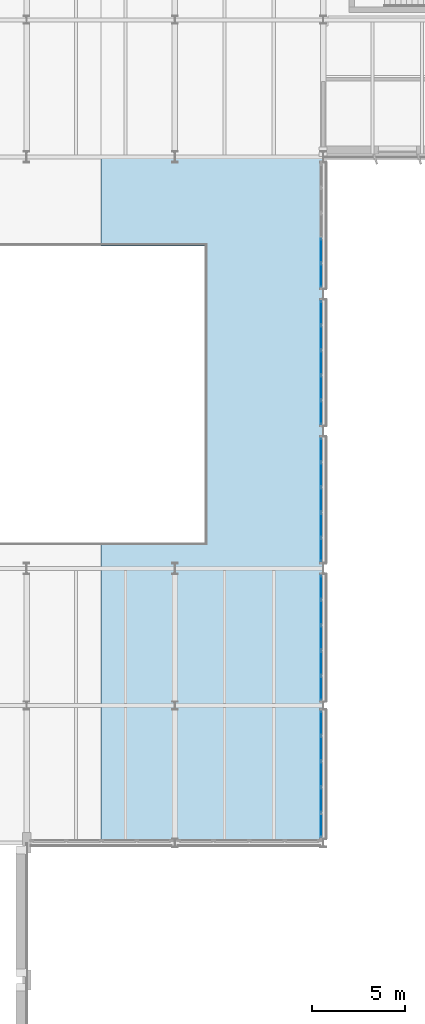
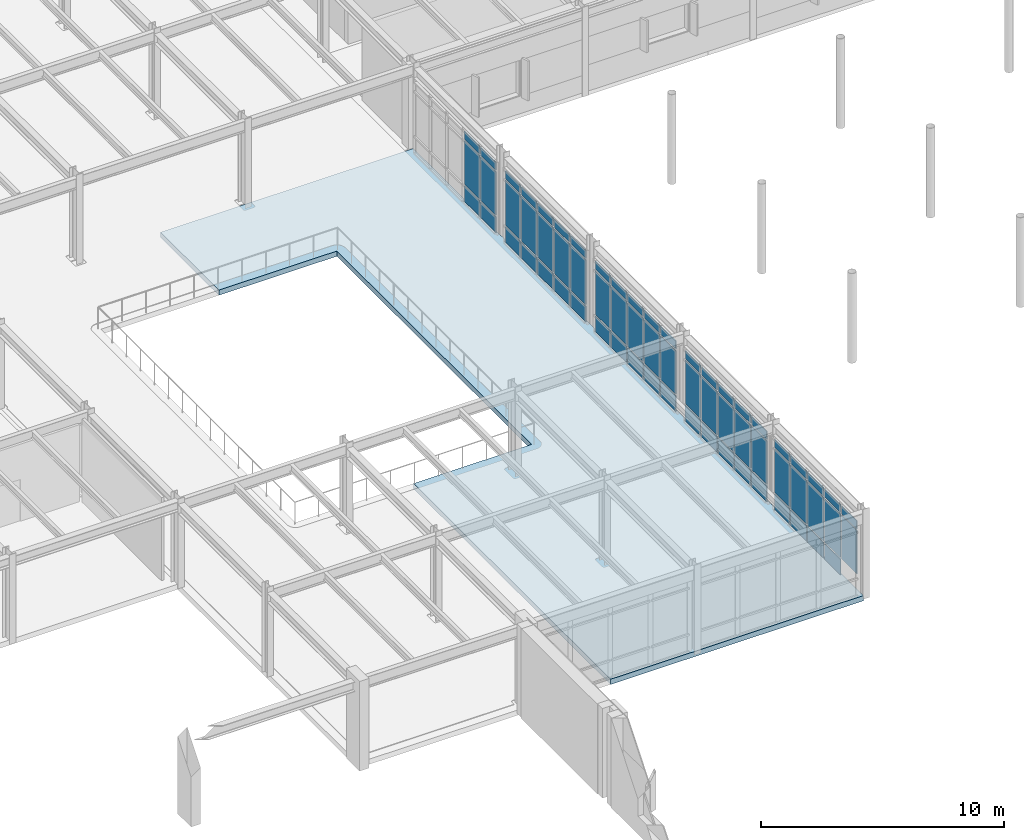
# One storey, part 30 of 75: 65 plates, 1 slab, 5 elements without a shape of their own.
"""IFC4 building model written with IfcOpenShell, lengths in metres."""

from ifc_helpers import new_model, si_unit, direction, frame, origin, origin_2d, place, context, subcontext, project, spatial, polyline, rectangle, outline, extrude, material, layer, layer_set, type_object, element, aggregate, save


model = new_model("IFC4")

# Units and contexts
model_context = context("Model", 3, precision=1e-05, world=origin(), true_north=direction((0.0, 1.0)))
body_context = subcontext(model_context, "Body", "Model", "MODEL_VIEW")
ifc_project = project(units=[si_unit("LENGTHUNIT", "METRE"), si_unit("AREAUNIT", "SQUARE_METRE"), si_unit("VOLUMEUNIT", "CUBIC_METRE"), si_unit("PLANEANGLEUNIT", "RADIAN"), si_unit("MASSUNIT", "GRAM", prefix="KILO")], contexts=[model_context])

# Site, building, storey
site_placement = place(None, origin())
site = spatial("IfcSite", under=ifc_project, at=site_placement, CompositionType="ELEMENT")
building_placement = place(site_placement, origin())
building = spatial("IfcBuilding", under=site, at=building_placement, Name="Valkorina Park Police Headquarters", CompositionType="ELEMENT")
storey_placement = place(building_placement, frame((0.0, 0.0, 5.39990234375)))
storey = spatial("IfcBuildingStorey", under=building, at=storey_placement, Name="L02", CompositionType="ELEMENT", Elevation=5.39990234375)

# Curtain wall, plates
ifc_material_1 = material(Name="Thermally broken aluminium AW-6060", Category="aluminium")
ifc_layer_1 = layer(ifc_material_1, 0.18994140625)
ifc_layer_set_1 = layer_set([ifc_layer_1], Name="Thermally broken aluminium AW-6060")
curtain_wall_type_1 = type_object("IfcCurtainWallType", Name="CW-V4-6780x3680", PredefinedType="NOTDEFINED", material=ifc_layer_set_1)
curtain_wall_1_placement = place(storey_placement, origin())
curtain_wall_1 = element("IfcCurtainWall", 1, at=curtain_wall_1_placement, inside=storey, type_object=curtain_wall_type_1, Name="L02 Unitised Curtain Wall 009", PredefinedType="NOTDEFINED")
ifc_material_2 = material(Name="Triple low-E insulated glazing", Category="glass")
ifc_layer_2 = layer(ifc_material_2, 0.0380859375)
ifc_layer_set_2 = layer_set([ifc_layer_2], Name="Triple low-E insulated glazing")
plate_type_1 = type_object("IfcPlateType", Name="PL-CWP-ACOUST-38", PredefinedType="CURTAIN_PANEL", material=ifc_layer_set_2)
plate_1_placement = place(storey_placement, frame((80.679931640625, 54.14404296875, 0.93994140625), z_axis=(0.0, 0.0, 1.0), x_axis=(0.0, -1.0, 0.0)))
plate_1 = element("IfcPlate", 2, at=plate_1_placement, type_object=plate_type_1, Name="CW-V4-678-368 panel 4.2", PredefinedType="CURTAIN_PANEL", context=body_context, shape_type="SweptSolid", body=[
    extrude(rectangle(XDim=1.27587890625, YDim=0.0380859375, at=origin_2d()), origin(), (0.0, 0.0, 1.0), 2.179931640625),
])
plate_2_placement = place(storey_placement, frame((80.679931640625, 54.14404296875, 3.2001953125), z_axis=(0.0, 0.0, 1.0), x_axis=(0.0, -1.0, 0.0)))
plate_2 = element("IfcPlate", 3, at=plate_2_placement, type_object=plate_type_1, Name="CW-V4-678-368 panel 4.3", PredefinedType="CURTAIN_PANEL", context=body_context, shape_type="SweptSolid", body=[
    extrude(rectangle(XDim=1.27587890625, YDim=0.0380859375, at=origin_2d()), origin(), (0.0, 0.0, 1.0), 0.39990234375),
])
plate_3_placement = place(storey_placement, frame((80.679931640625, 52.80810546875, 0.93994140625), z_axis=(0.0, 0.0, 1.0), x_axis=(0.0, -1.0, 0.0)))
plate_3 = element("IfcPlate", 4, at=plate_3_placement, type_object=plate_type_1, Name="CW-V4-678-368 panel 5.2", PredefinedType="CURTAIN_PANEL", context=body_context, shape_type="SweptSolid", body=[
    extrude(rectangle(XDim=1.236083984375, YDim=0.0380859375, at=origin_2d()), origin(), (0.0, 0.0, 1.0), 2.179931640625),
])
plate_4_placement = place(storey_placement, frame((80.679931640625, 52.80810546875, 3.2001953125), z_axis=(0.0, 0.0, 1.0), x_axis=(0.0, -1.0, 0.0)))
plate_4 = element("IfcPlate", 5, at=plate_4_placement, type_object=plate_type_1, Name="CW-V4-678-368 panel 5.3", PredefinedType="CURTAIN_PANEL", context=body_context, shape_type="SweptSolid", body=[
    extrude(rectangle(XDim=1.236083984375, YDim=0.0380859375, at=origin_2d()), origin(), (0.0, 0.0, 1.0), 0.39990234375),
])

ifc_layer_3 = layer(ifc_material_1, 0.18994140625)
ifc_layer_set_3 = layer_set([ifc_layer_3], Name="Thermally broken aluminium AW-6060")
curtain_wall_type_2 = type_object("IfcCurtainWallType", Name="CW-V4-6780x3740", PredefinedType="NOTDEFINED", material=ifc_layer_set_3)
curtain_wall_2_placement = place(storey_placement, origin())
curtain_wall_2 = element("IfcCurtainWall", 6, at=curtain_wall_2_placement, inside=storey, type_object=curtain_wall_type_2, Name="L02 Unitised Curtain Wall 010", PredefinedType="NOTDEFINED")
plate_5_placement = place(storey_placement, frame((80.679931640625, 50.7919921875, 0.93994140625), z_axis=(0.0, 0.0, 1.0), x_axis=(0.0, -1.0, 0.0)))
plate_5 = element("IfcPlate", 7, at=plate_5_placement, type_object=plate_type_1, Name="CW-V4-678-374 panel 1.2", PredefinedType="CURTAIN_PANEL", context=body_context, shape_type="SweptSolid", body=[
    extrude(rectangle(XDim=1.236083984375, YDim=0.0380859375, at=origin_2d()), origin(), (0.0, 0.0, 1.0), 2.239990234375),
])
plate_6_placement = place(storey_placement, frame((80.679931640625, 50.7919921875, 3.26025390625), z_axis=(0.0, 0.0, 1.0), x_axis=(0.0, -1.0, 0.0)))
plate_6 = element("IfcPlate", 8, at=plate_6_placement, type_object=plate_type_1, Name="CW-V4-678-374 panel 1.3", PredefinedType="CURTAIN_PANEL", context=body_context, shape_type="SweptSolid", body=[
    extrude(rectangle(XDim=1.236083984375, YDim=0.0380859375, at=origin_2d()), origin(), (0.0, 0.0, 1.0), 0.39990234375),
])
plate_7_placement = place(storey_placement, frame((80.679931640625, 49.4560546875, 0.93994140625), z_axis=(0.0, 0.0, 1.0), x_axis=(0.0, -1.0, 0.0)))
plate_7 = element("IfcPlate", 9, at=plate_7_placement, type_object=plate_type_1, Name="CW-V4-678-374 panel 2.2", PredefinedType="CURTAIN_PANEL", context=body_context, shape_type="SweptSolid", body=[
    extrude(rectangle(XDim=1.27587890625, YDim=0.0380859375, at=origin_2d()), origin(), (0.0, 0.0, 1.0), 2.239990234375),
])
plate_8_placement = place(storey_placement, frame((80.679931640625, 49.4560546875, 3.26025390625), z_axis=(0.0, 0.0, 1.0), x_axis=(0.0, -1.0, 0.0)))
plate_8 = element("IfcPlate", 10, at=plate_8_placement, type_object=plate_type_1, Name="CW-V4-678-374 panel 2.3", PredefinedType="CURTAIN_PANEL", context=body_context, shape_type="SweptSolid", body=[
    extrude(rectangle(XDim=1.27587890625, YDim=0.0380859375, at=origin_2d()), origin(), (0.0, 0.0, 1.0), 0.39990234375),
])
plate_9_placement = place(storey_placement, frame((80.679931640625, 48.10009765625, 0.93994140625), z_axis=(0.0, 0.0, 1.0), x_axis=(0.0, -1.0, 0.0)))
plate_9 = element("IfcPlate", 11, at=plate_9_placement, type_object=plate_type_1, Name="CW-V4-678-374 panel 3.2", PredefinedType="CURTAIN_PANEL", context=body_context, shape_type="SweptSolid", body=[
    extrude(rectangle(XDim=1.27587890625, YDim=0.0380859375, at=origin_2d()), origin(), (0.0, 0.0, 1.0), 2.239990234375),
])
plate_10_placement = place(storey_placement, frame((80.679931640625, 48.10009765625, 3.26025390625), z_axis=(0.0, 0.0, 1.0), x_axis=(0.0, -1.0, 0.0)))
plate_10 = element("IfcPlate", 12, at=plate_10_placement, type_object=plate_type_1, Name="CW-V4-678-374 panel 3.3", PredefinedType="CURTAIN_PANEL", context=body_context, shape_type="SweptSolid", body=[
    extrude(rectangle(XDim=1.27587890625, YDim=0.0380859375, at=origin_2d()), origin(), (0.0, 0.0, 1.0), 0.39990234375),
])
plate_11_placement = place(storey_placement, frame((80.679931640625, 46.743896484375, 0.93994140625), z_axis=(0.0, 0.0, 1.0), x_axis=(0.0, -1.0, 0.0)))
plate_11 = element("IfcPlate", 13, at=plate_11_placement, type_object=plate_type_1, Name="CW-V4-678-374 panel 4.2", PredefinedType="CURTAIN_PANEL", context=body_context, shape_type="SweptSolid", body=[
    extrude(rectangle(XDim=1.27587890625, YDim=0.0380859375, at=origin_2d()), origin(), (0.0, 0.0, 1.0), 2.239990234375),
])
plate_12_placement = place(storey_placement, frame((80.679931640625, 46.743896484375, 3.26025390625), z_axis=(0.0, 0.0, 1.0), x_axis=(0.0, -1.0, 0.0)))
plate_12 = element("IfcPlate", 14, at=plate_12_placement, type_object=plate_type_1, Name="CW-V4-678-374 panel 4.3", PredefinedType="CURTAIN_PANEL", context=body_context, shape_type="SweptSolid", body=[
    extrude(rectangle(XDim=1.27587890625, YDim=0.0380859375, at=origin_2d()), origin(), (0.0, 0.0, 1.0), 0.39990234375),
])
plate_13_placement = place(storey_placement, frame((80.679931640625, 45.407958984375, 0.93994140625), z_axis=(0.0, 0.0, 1.0), x_axis=(0.0, -1.0, 0.0)))
plate_13 = element("IfcPlate", 15, at=plate_13_placement, type_object=plate_type_1, Name="CW-V4-678-374 panel 5.2", PredefinedType="CURTAIN_PANEL", context=body_context, shape_type="SweptSolid", body=[
    extrude(rectangle(XDim=1.236083984375, YDim=0.0380859375, at=origin_2d()), origin(), (0.0, 0.0, 1.0), 2.239990234375),
])
plate_14_placement = place(storey_placement, frame((80.679931640625, 45.407958984375, 3.26025390625), z_axis=(0.0, 0.0, 1.0), x_axis=(0.0, -1.0, 0.0)))
plate_14 = element("IfcPlate", 16, at=plate_14_placement, type_object=plate_type_1, Name="CW-V4-678-374 panel 5.3", PredefinedType="CURTAIN_PANEL", context=body_context, shape_type="SweptSolid", body=[
    extrude(rectangle(XDim=1.236083984375, YDim=0.0380859375, at=origin_2d()), origin(), (0.0, 0.0, 1.0), 0.39990234375),
])

curtain_wall_3_placement = place(storey_placement, origin())
curtain_wall_3 = element("IfcCurtainWall", 17, at=curtain_wall_3_placement, inside=storey, type_object=curtain_wall_type_1, Name="L02 Unitised Curtain Wall 011", PredefinedType="NOTDEFINED")
plate_15_placement = place(storey_placement, frame((80.679931640625, 43.39208984375, 0.93994140625), z_axis=(0.0, 0.0, 1.0), x_axis=(0.0, -1.0, 0.0)))
plate_15 = element("IfcPlate", 18, at=plate_15_placement, type_object=plate_type_1, Name="CW-V4-678-368 panel 1.2", PredefinedType="CURTAIN_PANEL", context=body_context, shape_type="SweptSolid", body=[
    extrude(rectangle(XDim=1.236083984375, YDim=0.0380859375, at=origin_2d()), origin(), (0.0, 0.0, 1.0), 2.179931640625),
])
plate_16_placement = place(storey_placement, frame((80.679931640625, 43.39208984375, 3.2001953125), z_axis=(0.0, 0.0, 1.0), x_axis=(0.0, -1.0, 0.0)))
plate_16 = element("IfcPlate", 19, at=plate_16_placement, type_object=plate_type_1, Name="CW-V4-678-368 panel 1.3", PredefinedType="CURTAIN_PANEL", context=body_context, shape_type="SweptSolid", body=[
    extrude(rectangle(XDim=1.236083984375, YDim=0.0380859375, at=origin_2d()), origin(), (0.0, 0.0, 1.0), 0.39990234375),
])
plate_17_placement = place(storey_placement, frame((80.679931640625, 42.055908203125, 0.93994140625), z_axis=(0.0, 0.0, 1.0), x_axis=(0.0, -1.0, 0.0)))
plate_17 = element("IfcPlate", 20, at=plate_17_placement, type_object=plate_type_1, Name="CW-V4-678-368 panel 2.2", PredefinedType="CURTAIN_PANEL", context=body_context, shape_type="SweptSolid", body=[
    extrude(rectangle(XDim=1.27587890625, YDim=0.0380859375, at=origin_2d()), origin(), (0.0, 0.0, 1.0), 2.179931640625),
])
plate_18_placement = place(storey_placement, frame((80.679931640625, 42.055908203125, 3.2001953125), z_axis=(0.0, 0.0, 1.0), x_axis=(0.0, -1.0, 0.0)))
plate_18 = element("IfcPlate", 21, at=plate_18_placement, type_object=plate_type_1, Name="CW-V4-678-368 panel 2.3", PredefinedType="CURTAIN_PANEL", context=body_context, shape_type="SweptSolid", body=[
    extrude(rectangle(XDim=1.27587890625, YDim=0.0380859375, at=origin_2d()), origin(), (0.0, 0.0, 1.0), 0.39990234375),
])
plate_19_placement = place(storey_placement, frame((80.679931640625, 40.699951171875, 0.93994140625), z_axis=(0.0, 0.0, 1.0), x_axis=(0.0, -1.0, 0.0)))
plate_19 = element("IfcPlate", 22, at=plate_19_placement, type_object=plate_type_1, Name="CW-V4-678-368 panel 3.2", PredefinedType="CURTAIN_PANEL", context=body_context, shape_type="SweptSolid", body=[
    extrude(rectangle(XDim=1.27587890625, YDim=0.0380859375, at=origin_2d()), origin(), (0.0, 0.0, 1.0), 2.179931640625),
])
plate_20_placement = place(storey_placement, frame((80.679931640625, 40.699951171875, 3.2001953125), z_axis=(0.0, 0.0, 1.0), x_axis=(0.0, -1.0, 0.0)))
plate_20 = element("IfcPlate", 23, at=plate_20_placement, type_object=plate_type_1, Name="CW-V4-678-368 panel 3.3", PredefinedType="CURTAIN_PANEL", context=body_context, shape_type="SweptSolid", body=[
    extrude(rectangle(XDim=1.27587890625, YDim=0.0380859375, at=origin_2d()), origin(), (0.0, 0.0, 1.0), 0.39990234375),
])
plate_21_placement = place(storey_placement, frame((80.679931640625, 39.343994140625, 0.93994140625), z_axis=(0.0, 0.0, 1.0), x_axis=(0.0, -1.0, 0.0)))
plate_21 = element("IfcPlate", 24, at=plate_21_placement, type_object=plate_type_1, Name="CW-V4-678-368 panel 4.2", PredefinedType="CURTAIN_PANEL", context=body_context, shape_type="SweptSolid", body=[
    extrude(rectangle(XDim=1.27587890625, YDim=0.0380859375, at=origin_2d()), origin(), (0.0, 0.0, 1.0), 2.179931640625),
])
plate_22_placement = place(storey_placement, frame((80.679931640625, 39.343994140625, 3.2001953125), z_axis=(0.0, 0.0, 1.0), x_axis=(0.0, -1.0, 0.0)))
plate_22 = element("IfcPlate", 25, at=plate_22_placement, type_object=plate_type_1, Name="CW-V4-678-368 panel 4.3", PredefinedType="CURTAIN_PANEL", context=body_context, shape_type="SweptSolid", body=[
    extrude(rectangle(XDim=1.27587890625, YDim=0.0380859375, at=origin_2d()), origin(), (0.0, 0.0, 1.0), 0.39990234375),
])
plate_23_placement = place(storey_placement, frame((80.679931640625, 38.008056640625, 0.93994140625), z_axis=(0.0, 0.0, 1.0), x_axis=(0.0, -1.0, 0.0)))
plate_23 = element("IfcPlate", 26, at=plate_23_placement, type_object=plate_type_1, Name="CW-V4-678-368 panel 5.2", PredefinedType="CURTAIN_PANEL", context=body_context, shape_type="SweptSolid", body=[
    extrude(rectangle(XDim=1.236083984375, YDim=0.0380859375, at=origin_2d()), origin(), (0.0, 0.0, 1.0), 2.179931640625),
])
plate_24_placement = place(storey_placement, frame((80.679931640625, 38.008056640625, 3.2001953125), z_axis=(0.0, 0.0, 1.0), x_axis=(0.0, -1.0, 0.0)))
plate_24 = element("IfcPlate", 27, at=plate_24_placement, type_object=plate_type_1, Name="CW-V4-678-368 panel 5.3", PredefinedType="CURTAIN_PANEL", context=body_context, shape_type="SweptSolid", body=[
    extrude(rectangle(XDim=1.236083984375, YDim=0.0380859375, at=origin_2d()), origin(), (0.0, 0.0, 1.0), 0.39990234375),
])

ifc_layer_4 = layer(ifc_material_1, 0.18994140625)
ifc_layer_set_4 = layer_set([ifc_layer_4], Name="Thermally broken aluminium AW-6060")
curtain_wall_type_3 = type_object("IfcCurtainWallType", Name="CW-V4-6860x3680", PredefinedType="NOTDEFINED", material=ifc_layer_set_4)
curtain_wall_4_placement = place(storey_placement, origin())
curtain_wall_4 = element("IfcCurtainWall", 28, at=curtain_wall_4_placement, inside=storey, type_object=curtain_wall_type_3, Name="L02 Unitised Curtain Wall 012", PredefinedType="NOTDEFINED")
plate_25_placement = place(storey_placement, frame((80.679931640625, 35.984619140625, 0.93994140625), z_axis=(0.0, 0.0, 1.0), x_axis=(0.0, -1.0, 0.0)))
plate_25 = element("IfcPlate", 29, at=plate_25_placement, type_object=plate_type_1, Name="CW-V4-686-368 panel 1.2", PredefinedType="CURTAIN_PANEL", context=body_context, shape_type="SweptSolid", body=[
    extrude(rectangle(XDim=1.2509765625, YDim=0.0380859375, at=origin_2d()), origin(), (0.0, 0.0, 1.0), 2.179931640625),
])
plate_26_placement = place(storey_placement, frame((80.679931640625, 35.984619140625, 3.2001953125), z_axis=(0.0, 0.0, 1.0), x_axis=(0.0, -1.0, 0.0)))
plate_26 = element("IfcPlate", 30, at=plate_26_placement, type_object=plate_type_1, Name="CW-V4-686-368 panel 1.3", PredefinedType="CURTAIN_PANEL", context=body_context, shape_type="SweptSolid", body=[
    extrude(rectangle(XDim=1.2509765625, YDim=0.0380859375, at=origin_2d()), origin(), (0.0, 0.0, 1.0), 0.39990234375),
])
plate_27_placement = place(storey_placement, frame((80.679931640625, 34.633544921875, 0.93994140625), z_axis=(0.0, 0.0, 1.0), x_axis=(0.0, -1.0, 0.0)))
plate_27 = element("IfcPlate", 31, at=plate_27_placement, type_object=plate_type_1, Name="CW-V4-686-368 panel 2.2", PredefinedType="CURTAIN_PANEL", context=body_context, shape_type="SweptSolid", body=[
    extrude(rectangle(XDim=1.291015625, YDim=0.0380859375, at=origin_2d()), origin(), (0.0, 0.0, 1.0), 2.179931640625),
])
plate_28_placement = place(storey_placement, frame((80.679931640625, 34.633544921875, 3.2001953125), z_axis=(0.0, 0.0, 1.0), x_axis=(0.0, -1.0, 0.0)))
plate_28 = element("IfcPlate", 32, at=plate_28_placement, type_object=plate_type_1, Name="CW-V4-686-368 panel 2.3", PredefinedType="CURTAIN_PANEL", context=body_context, shape_type="SweptSolid", body=[
    extrude(rectangle(XDim=1.291015625, YDim=0.0380859375, at=origin_2d()), origin(), (0.0, 0.0, 1.0), 0.39990234375),
])
plate_29_placement = place(storey_placement, frame((80.679931640625, 33.262451171875, 0.93994140625), z_axis=(0.0, 0.0, 1.0), x_axis=(0.0, -1.0, 0.0)))
plate_29 = element("IfcPlate", 33, at=plate_29_placement, type_object=plate_type_1, Name="CW-V4-686-368 panel 3.2", PredefinedType="CURTAIN_PANEL", context=body_context, shape_type="SweptSolid", body=[
    extrude(rectangle(XDim=1.291015625, YDim=0.0380859375, at=origin_2d()), origin(), (0.0, 0.0, 1.0), 2.179931640625),
])
plate_30_placement = place(storey_placement, frame((80.679931640625, 33.262451171875, 3.2001953125), z_axis=(0.0, 0.0, 1.0), x_axis=(0.0, -1.0, 0.0)))
plate_30 = element("IfcPlate", 34, at=plate_30_placement, type_object=plate_type_1, Name="CW-V4-686-368 panel 3.3", PredefinedType="CURTAIN_PANEL", context=body_context, shape_type="SweptSolid", body=[
    extrude(rectangle(XDim=1.291015625, YDim=0.0380859375, at=origin_2d()), origin(), (0.0, 0.0, 1.0), 0.39990234375),
])
plate_31_placement = place(storey_placement, frame((80.679931640625, 31.8916015625, 0.93994140625), z_axis=(0.0, 0.0, 1.0), x_axis=(0.0, -1.0, 0.0)))
plate_31 = element("IfcPlate", 35, at=plate_31_placement, type_object=plate_type_1, Name="CW-V4-686-368 panel 4.2", PredefinedType="CURTAIN_PANEL", context=body_context, shape_type="SweptSolid", body=[
    extrude(rectangle(XDim=1.291015625, YDim=0.0380859375, at=origin_2d()), origin(), (0.0, 0.0, 1.0), 2.179931640625),
])
plate_32_placement = place(storey_placement, frame((80.679931640625, 31.8916015625, 3.2001953125), z_axis=(0.0, 0.0, 1.0), x_axis=(0.0, -1.0, 0.0)))
plate_32 = element("IfcPlate", 36, at=plate_32_placement, type_object=plate_type_1, Name="CW-V4-686-368 panel 4.3", PredefinedType="CURTAIN_PANEL", context=body_context, shape_type="SweptSolid", body=[
    extrude(rectangle(XDim=1.291015625, YDim=0.0380859375, at=origin_2d()), origin(), (0.0, 0.0, 1.0), 0.39990234375),
])
plate_33_placement = place(storey_placement, frame((80.679931640625, 30.54052734375, 0.93994140625), z_axis=(0.0, 0.0, 1.0), x_axis=(0.0, -1.0, 0.0)))
plate_33 = element("IfcPlate", 37, at=plate_33_placement, type_object=plate_type_1, Name="CW-V4-686-368 panel 5.2", PredefinedType="CURTAIN_PANEL", context=body_context, shape_type="SweptSolid", body=[
    extrude(rectangle(XDim=1.2509765625, YDim=0.0380859375, at=origin_2d()), origin(), (0.0, 0.0, 1.0), 2.179931640625),
])
plate_34_placement = place(storey_placement, frame((80.679931640625, 30.54052734375, 3.2001953125), z_axis=(0.0, 0.0, 1.0), x_axis=(0.0, -1.0, 0.0)))
plate_34 = element("IfcPlate", 38, at=plate_34_placement, type_object=plate_type_1, Name="CW-V4-686-368 panel 5.3", PredefinedType="CURTAIN_PANEL", context=body_context, shape_type="SweptSolid", body=[
    extrude(rectangle(XDim=1.2509765625, YDim=0.0380859375, at=origin_2d()), origin(), (0.0, 0.0, 1.0), 0.39990234375),
])

ifc_layer_5 = layer(ifc_material_1, 0.18994140625)
ifc_layer_set_5 = layer_set([ifc_layer_5], Name="Thermally broken aluminium AW-6060")
curtain_wall_type_4 = type_object("IfcCurtainWallType", Name="CW-V4-6930x3680", PredefinedType="NOTDEFINED", material=ifc_layer_set_5)
curtain_wall_5_placement = place(storey_placement, origin())
curtain_wall_5 = element("IfcCurtainWall", 39, at=curtain_wall_5_placement, inside=storey, type_object=curtain_wall_type_4, Name="L02 Unitised Curtain Wall 013", PredefinedType="NOTDEFINED")
plate_35_placement = place(storey_placement, frame((80.679931640625, 28.652099609375, 0.93994140625), z_axis=(0.0, 0.0, 1.0), x_axis=(0.0, -1.0, 0.0)))
plate_35 = element("IfcPlate", 40, at=plate_35_placement, type_object=plate_type_1, Name="CW-V4-693-368 panel 1.2", PredefinedType="CURTAIN_PANEL", context=body_context, shape_type="SweptSolid", body=[
    extrude(rectangle(XDim=1.26611328125, YDim=0.0380859375, at=origin_2d()), origin(), (0.0, 0.0, 1.0), 2.179931640625),
])
plate_36_placement = place(storey_placement, frame((80.679931640625, 28.652099609375, 3.2001953125), z_axis=(0.0, 0.0, 1.0), x_axis=(0.0, -1.0, 0.0)))
plate_36 = element("IfcPlate", 41, at=plate_36_placement, type_object=plate_type_1, Name="CW-V4-693-368 panel 1.3", PredefinedType="CURTAIN_PANEL", context=body_context, shape_type="SweptSolid", body=[
    extrude(rectangle(XDim=1.26611328125, YDim=0.0380859375, at=origin_2d()), origin(), (0.0, 0.0, 1.0), 0.39990234375),
])
plate_37_placement = place(storey_placement, frame((80.679931640625, 27.285888671875, 0.93994140625), z_axis=(0.0, 0.0, 1.0), x_axis=(0.0, -1.0, 0.0)))
plate_37 = element("IfcPlate", 42, at=plate_37_placement, type_object=plate_type_1, Name="CW-V4-693-368 panel 2.2", PredefinedType="CURTAIN_PANEL", context=body_context, shape_type="SweptSolid", body=[
    extrude(rectangle(XDim=1.305908203125, YDim=0.0380859375, at=origin_2d()), origin(), (0.0, 0.0, 1.0), 2.179931640625),
])
plate_38_placement = place(storey_placement, frame((80.679931640625, 27.285888671875, 3.2001953125), z_axis=(0.0, 0.0, 1.0), x_axis=(0.0, -1.0, 0.0)))
plate_38 = element("IfcPlate", 43, at=plate_38_placement, type_object=plate_type_1, Name="CW-V4-693-368 panel 2.3", PredefinedType="CURTAIN_PANEL", context=body_context, shape_type="SweptSolid", body=[
    extrude(rectangle(XDim=1.305908203125, YDim=0.0380859375, at=origin_2d()), origin(), (0.0, 0.0, 1.0), 0.39990234375),
])
plate_39_placement = place(storey_placement, frame((80.679931640625, 25.89990234375, 0.93994140625), z_axis=(0.0, 0.0, 1.0), x_axis=(0.0, -1.0, 0.0)))
plate_39 = element("IfcPlate", 44, at=plate_39_placement, type_object=plate_type_1, Name="CW-V4-693-368 panel 3.2", PredefinedType="CURTAIN_PANEL", context=body_context, shape_type="SweptSolid", body=[
    extrude(rectangle(XDim=1.305908203125, YDim=0.0380859375, at=origin_2d()), origin(), (0.0, 0.0, 1.0), 2.179931640625),
])
plate_40_placement = place(storey_placement, frame((80.679931640625, 25.89990234375, 3.2001953125), z_axis=(0.0, 0.0, 1.0), x_axis=(0.0, -1.0, 0.0)))
plate_40 = element("IfcPlate", 45, at=plate_40_placement, type_object=plate_type_1, Name="CW-V4-693-368 panel 3.3", PredefinedType="CURTAIN_PANEL", context=body_context, shape_type="SweptSolid", body=[
    extrude(rectangle(XDim=1.305908203125, YDim=0.0380859375, at=origin_2d()), origin(), (0.0, 0.0, 1.0), 0.39990234375),
])
plate_41_placement = place(storey_placement, frame((80.679931640625, 24.513916015625, 0.93994140625), z_axis=(0.0, 0.0, 1.0), x_axis=(0.0, -1.0, 0.0)))
plate_41 = element("IfcPlate", 46, at=plate_41_placement, type_object=plate_type_1, Name="CW-V4-693-368 panel 4.2", PredefinedType="CURTAIN_PANEL", context=body_context, shape_type="SweptSolid", body=[
    extrude(rectangle(XDim=1.305908203125, YDim=0.0380859375, at=origin_2d()), origin(), (0.0, 0.0, 1.0), 2.179931640625),
])
plate_42_placement = place(storey_placement, frame((80.679931640625, 24.513916015625, 3.2001953125), z_axis=(0.0, 0.0, 1.0), x_axis=(0.0, -1.0, 0.0)))
plate_42 = element("IfcPlate", 47, at=plate_42_placement, type_object=plate_type_1, Name="CW-V4-693-368 panel 4.3", PredefinedType="CURTAIN_PANEL", context=body_context, shape_type="SweptSolid", body=[
    extrude(rectangle(XDim=1.305908203125, YDim=0.0380859375, at=origin_2d()), origin(), (0.0, 0.0, 1.0), 0.39990234375),
])
plate_43_placement = place(storey_placement, frame((80.679931640625, 23.14794921875, 0.93994140625), z_axis=(0.0, 0.0, 1.0), x_axis=(0.0, -1.0, 0.0)))
plate_43 = element("IfcPlate", 48, at=plate_43_placement, type_object=plate_type_1, Name="CW-V4-693-368 panel 5.2", PredefinedType="CURTAIN_PANEL", context=body_context, shape_type="SweptSolid", body=[
    extrude(rectangle(XDim=1.26611328125, YDim=0.0380859375, at=origin_2d()), origin(), (0.0, 0.0, 1.0), 2.179931640625),
])
plate_44_placement = place(storey_placement, frame((80.679931640625, 23.14794921875, 3.2001953125), z_axis=(0.0, 0.0, 1.0), x_axis=(0.0, -1.0, 0.0)))
plate_44 = element("IfcPlate", 49, at=plate_44_placement, type_object=plate_type_1, Name="CW-V4-693-368 panel 5.3", PredefinedType="CURTAIN_PANEL", context=body_context, shape_type="SweptSolid", body=[
    extrude(rectangle(XDim=1.26611328125, YDim=0.0380859375, at=origin_2d()), origin(), (0.0, 0.0, 1.0), 0.39990234375),
])

# Plate
ifc_layer_6 = layer(ifc_material_1, 0.06494140625)
ifc_layer_set_6 = layer_set([ifc_layer_6], Name="Thermally broken aluminium AW-6060")
plate_type_2 = type_object("IfcPlateType", Name="PL-CWP-INSUL-65", PredefinedType="CURTAIN_PANEL", material=ifc_layer_set_6)
plate_45_placement = place(storey_placement, frame((80.679931640625, 54.14404296875, 0.080078125), z_axis=(0.0, 0.0, 1.0), x_axis=(0.0, -1.0, 0.0)))
plate_45 = element("IfcPlate", 50, at=plate_45_placement, type_object=plate_type_2, Name="CW-V4-678-368 panel 4.1", PredefinedType="CURTAIN_PANEL", context=body_context, shape_type="SweptSolid", body=[
    extrude(rectangle(XDim=1.27587890625, YDim=0.0380859375, at=origin_2d()), origin(), (0.0, 0.0, 1.0), 0.780029296875),
])

plate_46_placement = place(storey_placement, frame((80.679931640625, 52.80810546875, 0.080078125), z_axis=(0.0, 0.0, 1.0), x_axis=(0.0, -1.0, 0.0)))
plate_46 = element("IfcPlate", 51, at=plate_46_placement, type_object=plate_type_2, Name="CW-V4-678-368 panel 5.1", PredefinedType="CURTAIN_PANEL", context=body_context, shape_type="SweptSolid", body=[
    extrude(rectangle(XDim=1.236083984375, YDim=0.0380859375, at=origin_2d()), origin(), (0.0, 0.0, 1.0), 0.780029296875),
])

aggregate(curtain_wall_1, [plate_45, plate_1, plate_2, plate_46, plate_3, plate_4])

plate_47_placement = place(storey_placement, frame((80.679931640625, 50.7919921875, 0.080078125), z_axis=(0.0, 0.0, 1.0), x_axis=(0.0, -1.0, 0.0)))
plate_47 = element("IfcPlate", 52, at=plate_47_placement, type_object=plate_type_2, Name="CW-V4-678-374 panel 1.1", PredefinedType="CURTAIN_PANEL", context=body_context, shape_type="SweptSolid", body=[
    extrude(rectangle(XDim=1.236083984375, YDim=0.0380859375, at=origin_2d()), origin(), (0.0, 0.0, 1.0), 0.780029296875),
])

plate_48_placement = place(storey_placement, frame((80.679931640625, 49.4560546875, 0.080078125), z_axis=(0.0, 0.0, 1.0), x_axis=(0.0, -1.0, 0.0)))
plate_48 = element("IfcPlate", 53, at=plate_48_placement, type_object=plate_type_2, Name="CW-V4-678-374 panel 2.1", PredefinedType="CURTAIN_PANEL", context=body_context, shape_type="SweptSolid", body=[
    extrude(rectangle(XDim=1.27587890625, YDim=0.0380859375, at=origin_2d()), origin(), (0.0, 0.0, 1.0), 0.780029296875),
])

plate_49_placement = place(storey_placement, frame((80.679931640625, 48.10009765625, 0.080078125), z_axis=(0.0, 0.0, 1.0), x_axis=(0.0, -1.0, 0.0)))
plate_49 = element("IfcPlate", 54, at=plate_49_placement, type_object=plate_type_2, Name="CW-V4-678-374 panel 3.1", PredefinedType="CURTAIN_PANEL", context=body_context, shape_type="SweptSolid", body=[
    extrude(rectangle(XDim=1.27587890625, YDim=0.0380859375, at=origin_2d()), origin(), (0.0, 0.0, 1.0), 0.780029296875),
])

plate_50_placement = place(storey_placement, frame((80.679931640625, 46.743896484375, 0.080078125), z_axis=(0.0, 0.0, 1.0), x_axis=(0.0, -1.0, 0.0)))
plate_50 = element("IfcPlate", 55, at=plate_50_placement, type_object=plate_type_2, Name="CW-V4-678-374 panel 4.1", PredefinedType="CURTAIN_PANEL", context=body_context, shape_type="SweptSolid", body=[
    extrude(rectangle(XDim=1.27587890625, YDim=0.0380859375, at=origin_2d()), origin(), (0.0, 0.0, 1.0), 0.780029296875),
])

plate_51_placement = place(storey_placement, frame((80.679931640625, 45.407958984375, 0.080078125), z_axis=(0.0, 0.0, 1.0), x_axis=(0.0, -1.0, 0.0)))
plate_51 = element("IfcPlate", 56, at=plate_51_placement, type_object=plate_type_2, Name="CW-V4-678-374 panel 5.1", PredefinedType="CURTAIN_PANEL", context=body_context, shape_type="SweptSolid", body=[
    extrude(rectangle(XDim=1.236083984375, YDim=0.0380859375, at=origin_2d()), origin(), (0.0, 0.0, 1.0), 0.780029296875),
])

aggregate(curtain_wall_2, [plate_47, plate_5, plate_6, plate_48, plate_7, plate_8, plate_49, plate_9, plate_10, plate_50, plate_11, plate_12, plate_51, plate_13, plate_14])

plate_52_placement = place(storey_placement, frame((80.679931640625, 43.39208984375, 0.080078125), z_axis=(0.0, 0.0, 1.0), x_axis=(0.0, -1.0, 0.0)))
plate_52 = element("IfcPlate", 57, at=plate_52_placement, type_object=plate_type_2, Name="CW-V4-678-368 panel 1.1", PredefinedType="CURTAIN_PANEL", context=body_context, shape_type="SweptSolid", body=[
    extrude(rectangle(XDim=1.236083984375, YDim=0.0380859375, at=origin_2d()), origin(), (0.0, 0.0, 1.0), 0.780029296875),
])

plate_53_placement = place(storey_placement, frame((80.679931640625, 42.055908203125, 0.080078125), z_axis=(0.0, 0.0, 1.0), x_axis=(0.0, -1.0, 0.0)))
plate_53 = element("IfcPlate", 58, at=plate_53_placement, type_object=plate_type_2, Name="CW-V4-678-368 panel 2.1", PredefinedType="CURTAIN_PANEL", context=body_context, shape_type="SweptSolid", body=[
    extrude(rectangle(XDim=1.27587890625, YDim=0.0380859375, at=origin_2d()), origin(), (0.0, 0.0, 1.0), 0.780029296875),
])

plate_54_placement = place(storey_placement, frame((80.679931640625, 40.699951171875, 0.080078125), z_axis=(0.0, 0.0, 1.0), x_axis=(0.0, -1.0, 0.0)))
plate_54 = element("IfcPlate", 59, at=plate_54_placement, type_object=plate_type_2, Name="CW-V4-678-368 panel 3.1", PredefinedType="CURTAIN_PANEL", context=body_context, shape_type="SweptSolid", body=[
    extrude(rectangle(XDim=1.27587890625, YDim=0.0380859375, at=origin_2d()), origin(), (0.0, 0.0, 1.0), 0.780029296875),
])

plate_55_placement = place(storey_placement, frame((80.679931640625, 39.343994140625, 0.080078125), z_axis=(0.0, 0.0, 1.0), x_axis=(0.0, -1.0, 0.0)))
plate_55 = element("IfcPlate", 60, at=plate_55_placement, type_object=plate_type_2, Name="CW-V4-678-368 panel 4.1", PredefinedType="CURTAIN_PANEL", context=body_context, shape_type="SweptSolid", body=[
    extrude(rectangle(XDim=1.27587890625, YDim=0.0380859375, at=origin_2d()), origin(), (0.0, 0.0, 1.0), 0.780029296875),
])

plate_56_placement = place(storey_placement, frame((80.679931640625, 38.008056640625, 0.080078125), z_axis=(0.0, 0.0, 1.0), x_axis=(0.0, -1.0, 0.0)))
plate_56 = element("IfcPlate", 61, at=plate_56_placement, type_object=plate_type_2, Name="CW-V4-678-368 panel 5.1", PredefinedType="CURTAIN_PANEL", context=body_context, shape_type="SweptSolid", body=[
    extrude(rectangle(XDim=1.236083984375, YDim=0.0380859375, at=origin_2d()), origin(), (0.0, 0.0, 1.0), 0.780029296875),
])

aggregate(curtain_wall_3, [plate_52, plate_15, plate_16, plate_53, plate_17, plate_18, plate_54, plate_19, plate_20, plate_55, plate_21, plate_22, plate_56, plate_23, plate_24])

plate_57_placement = place(storey_placement, frame((80.679931640625, 35.984619140625, 0.080078125), z_axis=(0.0, 0.0, 1.0), x_axis=(0.0, -1.0, 0.0)))
plate_57 = element("IfcPlate", 62, at=plate_57_placement, type_object=plate_type_2, Name="CW-V4-686-368 panel 1.1", PredefinedType="CURTAIN_PANEL", context=body_context, shape_type="SweptSolid", body=[
    extrude(rectangle(XDim=1.2509765625, YDim=0.0380859375, at=origin_2d()), origin(), (0.0, 0.0, 1.0), 0.780029296875),
])

plate_58_placement = place(storey_placement, frame((80.679931640625, 34.633544921875, 0.080078125), z_axis=(0.0, 0.0, 1.0), x_axis=(0.0, -1.0, 0.0)))
plate_58 = element("IfcPlate", 63, at=plate_58_placement, type_object=plate_type_2, Name="CW-V4-686-368 panel 2.1", PredefinedType="CURTAIN_PANEL", context=body_context, shape_type="SweptSolid", body=[
    extrude(rectangle(XDim=1.291015625, YDim=0.0380859375, at=origin_2d()), origin(), (0.0, 0.0, 1.0), 0.780029296875),
])

plate_59_placement = place(storey_placement, frame((80.679931640625, 33.262451171875, 0.080078125), z_axis=(0.0, 0.0, 1.0), x_axis=(0.0, -1.0, 0.0)))
plate_59 = element("IfcPlate", 64, at=plate_59_placement, type_object=plate_type_2, Name="CW-V4-686-368 panel 3.1", PredefinedType="CURTAIN_PANEL", context=body_context, shape_type="SweptSolid", body=[
    extrude(rectangle(XDim=1.291015625, YDim=0.0380859375, at=origin_2d()), origin(), (0.0, 0.0, 1.0), 0.780029296875),
])

plate_60_placement = place(storey_placement, frame((80.679931640625, 31.8916015625, 0.080078125), z_axis=(0.0, 0.0, 1.0), x_axis=(0.0, -1.0, 0.0)))
plate_60 = element("IfcPlate", 65, at=plate_60_placement, type_object=plate_type_2, Name="CW-V4-686-368 panel 4.1", PredefinedType="CURTAIN_PANEL", context=body_context, shape_type="SweptSolid", body=[
    extrude(rectangle(XDim=1.291015625, YDim=0.0380859375, at=origin_2d()), origin(), (0.0, 0.0, 1.0), 0.780029296875),
])

plate_61_placement = place(storey_placement, frame((80.679931640625, 30.54052734375, 0.080078125), z_axis=(0.0, 0.0, 1.0), x_axis=(0.0, -1.0, 0.0)))
plate_61 = element("IfcPlate", 66, at=plate_61_placement, type_object=plate_type_2, Name="CW-V4-686-368 panel 5.1", PredefinedType="CURTAIN_PANEL", context=body_context, shape_type="SweptSolid", body=[
    extrude(rectangle(XDim=1.2509765625, YDim=0.0380859375, at=origin_2d()), origin(), (0.0, 0.0, 1.0), 0.780029296875),
])

aggregate(curtain_wall_4, [plate_57, plate_25, plate_26, plate_58, plate_27, plate_28, plate_59, plate_29, plate_30, plate_60, plate_31, plate_32, plate_61, plate_33, plate_34])

plate_62_placement = place(storey_placement, frame((80.679931640625, 28.652099609375, 0.080078125), z_axis=(0.0, 0.0, 1.0), x_axis=(0.0, -1.0, 0.0)))
plate_62 = element("IfcPlate", 67, at=plate_62_placement, type_object=plate_type_2, Name="CW-V4-693-368 panel 1.1", PredefinedType="CURTAIN_PANEL", context=body_context, shape_type="SweptSolid", body=[
    extrude(rectangle(XDim=1.26611328125, YDim=0.0380859375, at=origin_2d()), origin(), (0.0, 0.0, 1.0), 0.780029296875),
])

plate_63_placement = place(storey_placement, frame((80.679931640625, 27.285888671875, 0.080078125), z_axis=(0.0, 0.0, 1.0), x_axis=(0.0, -1.0, 0.0)))
plate_63 = element("IfcPlate", 68, at=plate_63_placement, type_object=plate_type_2, Name="CW-V4-693-368 panel 2.1", PredefinedType="CURTAIN_PANEL", context=body_context, shape_type="SweptSolid", body=[
    extrude(rectangle(XDim=1.305908203125, YDim=0.0380859375, at=origin_2d()), origin(), (0.0, 0.0, 1.0), 0.780029296875),
])

plate_64_placement = place(storey_placement, frame((80.679931640625, 25.89990234375, 0.080078125), z_axis=(0.0, 0.0, 1.0), x_axis=(0.0, -1.0, 0.0)))
plate_64 = element("IfcPlate", 69, at=plate_64_placement, type_object=plate_type_2, Name="CW-V4-693-368 panel 3.1", PredefinedType="CURTAIN_PANEL", context=body_context, shape_type="SweptSolid", body=[
    extrude(rectangle(XDim=1.305908203125, YDim=0.0380859375, at=origin_2d()), origin(), (0.0, 0.0, 1.0), 0.780029296875),
])

plate_65_placement = place(storey_placement, frame((80.679931640625, 24.513916015625, 0.080078125), z_axis=(0.0, 0.0, 1.0), x_axis=(0.0, -1.0, 0.0)))
plate_65 = element("IfcPlate", 70, at=plate_65_placement, type_object=plate_type_2, Name="CW-V4-693-368 panel 4.1", PredefinedType="CURTAIN_PANEL", context=body_context, shape_type="SweptSolid", body=[
    extrude(rectangle(XDim=1.305908203125, YDim=0.0380859375, at=origin_2d()), origin(), (0.0, 0.0, 1.0), 0.780029296875),
])

aggregate(curtain_wall_5, [plate_62, plate_35, plate_36, plate_63, plate_37, plate_38, plate_64, plate_39, plate_40, plate_65, plate_41, plate_42, plate_43, plate_44])

# Slab
ifc_material_3 = material(Name="Concrete C35/45", Category="concrete")
ifc_layer_7 = layer(ifc_material_3, 0.260009765625)
ifc_layer_set_7 = layer_set([ifc_layer_7], Name="Concrete C35/45")
slab_type = type_object("IfcSlabType", Name="SL-PODIUM-260", PredefinedType="FLOOR", material=ifc_layer_set_7)
slab_placement = place(storey_placement, frame((0.0, 0.0, -0.260009765625)))
element("IfcSlab", 71, at=slab_placement, inside=storey, type_object=slab_type, Name="L02 Structural Floor Slab 39", PredefinedType="FLOOR", context=body_context, shape_type="SweptSolid", body=[
    extrude(outline(polyline([(68.800048828125, 59.19189453125), (68.800048828125, 54.39990234375), (74.39990234375, 54.39990234375), (74.39990234375, 38.39990234375), (68.800048828125, 38.39990234375), (68.800048828125, 22.199951171875), (80.800048828125, 22.199951171875), (80.800048828125, 59.19189453125), (68.800048828125, 59.19189453125)])), origin(), (0.0, 0.0, 1.0), 0.260009765625),
])

save(model, "model.ifc")
